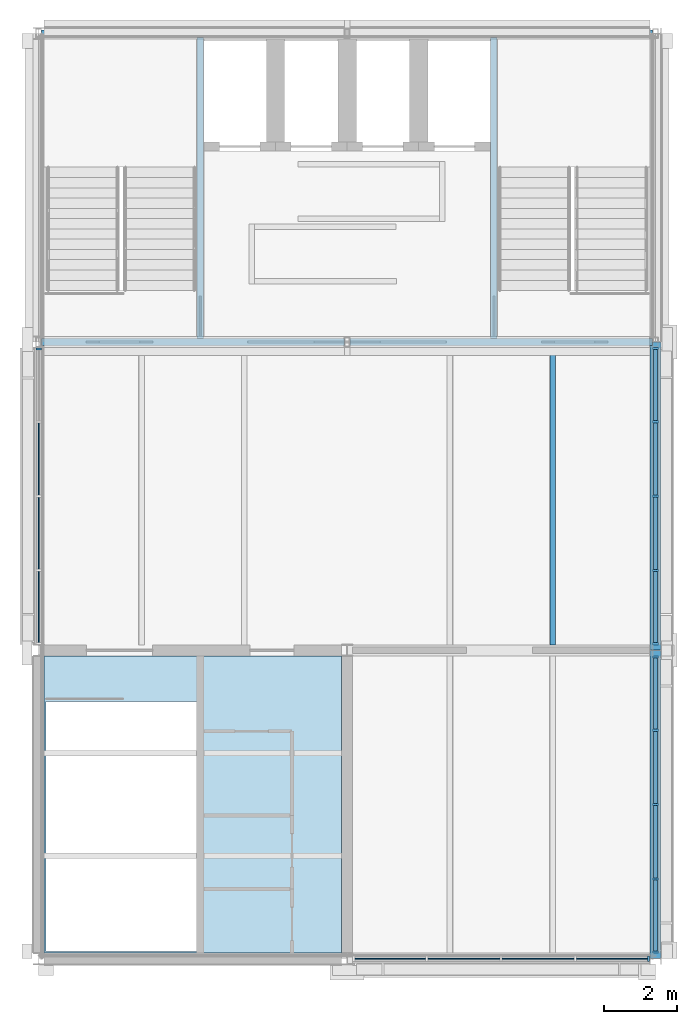
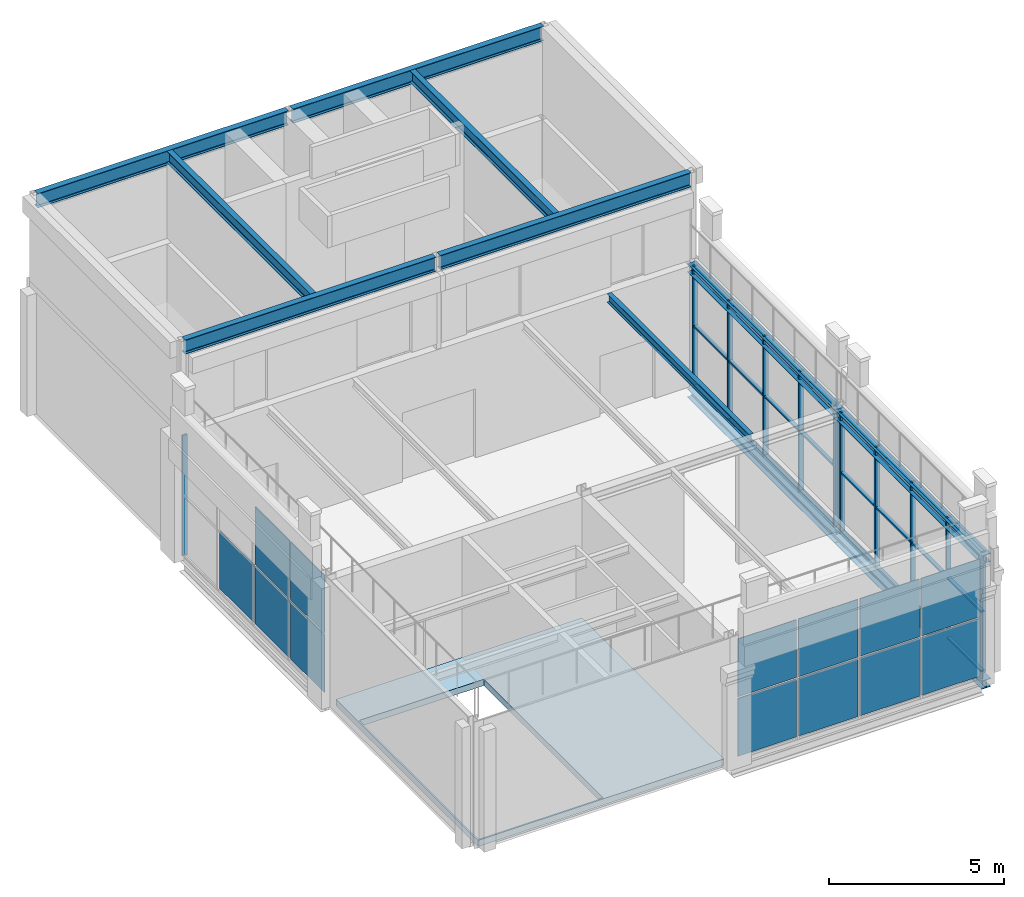
# One storey, part 2 of 7: 36 members, 13 plates, 11 beams, 1 slab, 4 elements without a shape of their own.
"""IFC4 building model written with IfcOpenShell, lengths in metres."""

from ifc_helpers import new_model, si_unit, direction, frame, origin, origin_2d, place, context, subcontext, project, spatial, polyline, rectangle, i_section, outline, extrude, material, layer, layer_set, material_profile, profile_set, type_object, element, aggregate, save


model = new_model("IFC4")

# Units and contexts
model_context = context("Model", 3, precision=1e-05, world=origin(), true_north=direction((0.0, 1.0)))
body_context = subcontext(model_context, "Body", "Model", "MODEL_VIEW")
ifc_project = project(units=[si_unit("LENGTHUNIT", "METRE"), si_unit("AREAUNIT", "SQUARE_METRE"), si_unit("VOLUMEUNIT", "CUBIC_METRE"), si_unit("PLANEANGLEUNIT", "RADIAN"), si_unit("MASSUNIT", "GRAM", prefix="KILO")], contexts=[model_context])

# Site, building, storey
site_placement = place(None, origin())
site = spatial("IfcSite", under=ifc_project, at=site_placement, CompositionType="ELEMENT")
building_placement = place(site_placement, origin())
building = spatial("IfcBuilding", under=site, at=building_placement, Name="Galleria Vessillo Department Store", CompositionType="ELEMENT")
storey_placement = place(building_placement, frame((0.0, 0.0, 67.60009765625)))
storey = spatial("IfcBuildingStorey", under=building, at=storey_placement, Name="L15", CompositionType="ELEMENT", Elevation=67.60009765625)

# Curtain wall, member
ifc_material_1 = material(Name="Aluminium and glass curtain wall", Category="aluminium")
ifc_layer_1 = layer(ifc_material_1, 0.159912109375)
ifc_layer_set_1 = layer_set([ifc_layer_1], Name="Aluminium and glass curtain wall")
curtain_wall_type = type_object("IfcCurtainWallType", Name="Tower curtain wall CW4 2100 module", PredefinedType="NOTDEFINED", material=ifc_layer_set_1)
curtain_wall_1_placement = place(storey_placement, origin())
curtain_wall_1 = element("IfcCurtainWall", 1, at=curtain_wall_1_placement, inside=storey, type_object=curtain_wall_type, Name="Tower curtain wall CW4 2100 module TW-L15-01", PredefinedType="NOTDEFINED")
ifc_material_2 = material(Name="Aluminium alloy 6063 T6", Category="aluminium")
ifc_material_profile_1 = material_profile(ifc_material_2, rectangle(XDim=0.159912109375, YDim=0.06005859375, at=origin_2d()), Name="AL 60x160")
ifc_profile_set_1 = profile_set([ifc_material_profile_1], Name="Aluminium alloy 6063 T6")
member_type_1 = type_object("IfcMemberType", Name="Aluminium mullion 60 x 160", PredefinedType="MULLION", material=ifc_profile_set_1)
member_1_placement = place(storey_placement, frame((100.800048828125, 54.41015625, 0.0), z_axis=(0.0, 0.0, 1.0), x_axis=(-1.0, 0.0, 0.0)))
member_1 = element("IfcMember", 2, at=member_1_placement, type_object=member_type_1, Name="CW4 mullion 5", PredefinedType="MULLION", context=body_context, shape_type="SweptSolid", body=[
    extrude(rectangle(XDim=0.159912109375, YDim=0.06005859375, at=origin_2d()), origin(), (0.0, 0.0, 1.0), 4.199951171875),
])

curtain_wall_2_placement = place(storey_placement, origin())
curtain_wall_2 = element("IfcCurtainWall", 3, at=curtain_wall_2_placement, inside=storey, type_object=curtain_wall_type, Name="Tower curtain wall CW4 2100 module TS-L15-01", PredefinedType="NOTDEFINED")
member_2_placement = place(storey_placement, frame((117.41015625, 37.800048828125, 0.0), z_axis=(0.0, 0.0, 1.0), x_axis=(0.0, 1.0, 0.0)))
member_2 = element("IfcMember", 4, at=member_2_placement, type_object=member_type_1, Name="CW4 mullion 5", PredefinedType="MULLION", context=body_context, shape_type="SweptSolid", body=[
    extrude(rectangle(XDim=0.159912109375, YDim=0.06005859375, at=origin_2d()), origin(), (0.0, 0.0, 1.0), 4.199951171875),
])

# Curtain wall, members
curtain_wall_3_placement = place(storey_placement, origin())
curtain_wall_3 = element("IfcCurtainWall", 5, at=curtain_wall_3_placement, inside=storey, type_object=curtain_wall_type, Name="Tower curtain wall CW4 2100 module TE-L15-01", PredefinedType="NOTDEFINED")
member_3_placement = place(storey_placement, frame((117.60009765625, 37.97998046875, 0.0), z_axis=(0.0, 0.0, 1.0), x_axis=(-1.0, 0.0, 0.0)))
member_3 = element("IfcMember", 6, at=member_3_placement, type_object=member_type_1, Name="CW4 mullion 1", PredefinedType="MULLION", context=body_context, shape_type="SweptSolid", body=[
    extrude(rectangle(XDim=0.159912109375, YDim=0.06005859375, at=origin_2d()), origin(), (0.0, 0.0, 1.0), 4.199951171875),
])
member_4_placement = place(storey_placement, frame((117.60009765625, 39.97509765625, 0.0), z_axis=(0.0, 0.0, 1.0), x_axis=(-1.0, 0.0, 0.0)))
member_4 = element("IfcMember", 7, at=member_4_placement, type_object=member_type_1, Name="CW4 mullion 2", PredefinedType="MULLION", context=body_context, shape_type="SweptSolid", body=[
    extrude(rectangle(XDim=0.159912109375, YDim=0.06005859375, at=origin_2d()), origin(), (0.0, 0.0, 1.0), 4.199951171875),
])
member_5_placement = place(storey_placement, frame((117.60009765625, 42.0, 0.0), z_axis=(0.0, 0.0, 1.0), x_axis=(-1.0, 0.0, 0.0)))
member_5 = element("IfcMember", 8, at=member_5_placement, type_object=member_type_1, Name="CW4 mullion 3", PredefinedType="MULLION", context=body_context, shape_type="SweptSolid", body=[
    extrude(rectangle(XDim=0.159912109375, YDim=0.06005859375, at=origin_2d()), origin(), (0.0, 0.0, 1.0), 4.199951171875),
])
member_6_placement = place(storey_placement, frame((117.60009765625, 44.02490234375, 0.0), z_axis=(0.0, 0.0, 1.0), x_axis=(-1.0, 0.0, 0.0)))
member_6 = element("IfcMember", 9, at=member_6_placement, type_object=member_type_1, Name="CW4 mullion 4", PredefinedType="MULLION", context=body_context, shape_type="SweptSolid", body=[
    extrude(rectangle(XDim=0.159912109375, YDim=0.06005859375, at=origin_2d()), origin(), (0.0, 0.0, 1.0), 4.199951171875),
])
member_7_placement = place(storey_placement, frame((117.60009765625, 46.02001953125, 0.0), z_axis=(0.0, 0.0, 1.0), x_axis=(-1.0, 0.0, 0.0)))
member_7 = element("IfcMember", 10, at=member_7_placement, type_object=member_type_1, Name="CW4 mullion 5", PredefinedType="MULLION", context=body_context, shape_type="SweptSolid", body=[
    extrude(rectangle(XDim=0.159912109375, YDim=0.06005859375, at=origin_2d()), origin(), (0.0, 0.0, 1.0), 4.199951171875),
])

curtain_wall_4_placement = place(storey_placement, origin())
curtain_wall_4 = element("IfcCurtainWall", 11, at=curtain_wall_4_placement, inside=storey, type_object=curtain_wall_type, Name="Tower curtain wall CW4 2100 module TE-L15-02", PredefinedType="NOTDEFINED")
member_8_placement = place(storey_placement, frame((117.60009765625, 46.3798828125, 0.0), z_axis=(0.0, 0.0, 1.0), x_axis=(-1.0, 0.0, 0.0)))
member_8 = element("IfcMember", 12, at=member_8_placement, type_object=member_type_1, Name="CW4 mullion 1", PredefinedType="MULLION", context=body_context, shape_type="SweptSolid", body=[
    extrude(rectangle(XDim=0.159912109375, YDim=0.06005859375, at=origin_2d()), origin(), (0.0, 0.0, 1.0), 4.199951171875),
])
member_9_placement = place(storey_placement, frame((117.60009765625, 48.375, 0.0), z_axis=(0.0, 0.0, 1.0), x_axis=(-1.0, 0.0, 0.0)))
member_9 = element("IfcMember", 13, at=member_9_placement, type_object=member_type_1, Name="CW4 mullion 2", PredefinedType="MULLION", context=body_context, shape_type="SweptSolid", body=[
    extrude(rectangle(XDim=0.159912109375, YDim=0.06005859375, at=origin_2d()), origin(), (0.0, 0.0, 1.0), 4.199951171875),
])
member_10_placement = place(storey_placement, frame((117.60009765625, 50.39990234375, 0.0), z_axis=(0.0, 0.0, 1.0), x_axis=(-1.0, 0.0, 0.0)))
member_10 = element("IfcMember", 14, at=member_10_placement, type_object=member_type_1, Name="CW4 mullion 3", PredefinedType="MULLION", context=body_context, shape_type="SweptSolid", body=[
    extrude(rectangle(XDim=0.159912109375, YDim=0.06005859375, at=origin_2d()), origin(), (0.0, 0.0, 1.0), 4.199951171875),
])
member_11_placement = place(storey_placement, frame((117.60009765625, 52.425048828125, 0.0), z_axis=(0.0, 0.0, 1.0), x_axis=(-1.0, 0.0, 0.0)))
member_11 = element("IfcMember", 15, at=member_11_placement, type_object=member_type_1, Name="CW4 mullion 4", PredefinedType="MULLION", context=body_context, shape_type="SweptSolid", body=[
    extrude(rectangle(XDim=0.159912109375, YDim=0.06005859375, at=origin_2d()), origin(), (0.0, 0.0, 1.0), 4.199951171875),
])
member_12_placement = place(storey_placement, frame((117.60009765625, 54.420166015625, 0.0), z_axis=(0.0, 0.0, 1.0), x_axis=(-1.0, 0.0, 0.0)))
member_12 = element("IfcMember", 16, at=member_12_placement, type_object=member_type_1, Name="CW4 mullion 5", PredefinedType="MULLION", context=body_context, shape_type="SweptSolid", body=[
    extrude(rectangle(XDim=0.159912109375, YDim=0.06005859375, at=origin_2d()), origin(), (0.0, 0.0, 1.0), 4.199951171875),
])

# Member
ifc_material_3 = material(Name="Aluminium alloy 6063 T6", Category="aluminium")
ifc_material_profile_2 = material_profile(ifc_material_3, rectangle(XDim=0.1201171875, YDim=0.06005859375, at=origin_2d()), Name="AL 60x120")
ifc_profile_set_2 = profile_set([ifc_material_profile_2], Name="Aluminium alloy 6063 T6")
member_type_2 = type_object("IfcMemberType", Name="Aluminium transom 60 x 120", PredefinedType="USERDEFINED", material=ifc_profile_set_2)
member_13_placement = place(storey_placement, frame((117.60009765625, 38.010009765625, 0.030029296875), z_axis=(0.0, 1.0, 0.0), x_axis=(-1.0, 0.0, 0.0)))
member_13 = element("IfcMember", 17, at=member_13_placement, type_object=member_type_2, Name="CW4 transom 1.1", ObjectType="TRANSOM", PredefinedType="USERDEFINED", context=body_context, shape_type="SweptSolid", body=[
    extrude(rectangle(XDim=0.1201171875, YDim=0.06005859375, at=origin_2d()), origin(), (0.0, 0.0, 1.0), 1.93505859375),
])

member_14_placement = place(storey_placement, frame((117.60009765625, 38.010009765625, 2.10009765625), z_axis=(0.0, 1.0, 0.0), x_axis=(-1.0, 0.0, 0.0)))
member_14 = element("IfcMember", 18, at=member_14_placement, type_object=member_type_2, Name="CW4 transom 1.2", ObjectType="TRANSOM", PredefinedType="USERDEFINED", context=body_context, shape_type="SweptSolid", body=[
    extrude(rectangle(XDim=0.1201171875, YDim=0.06005859375, at=origin_2d()), origin(), (0.0, 0.0, 1.0), 1.93505859375),
])

member_15_placement = place(storey_placement, frame((117.60009765625, 38.010009765625, 4.169921875), z_axis=(0.0, 1.0, 0.0), x_axis=(-1.0, 0.0, 0.0)))
member_15 = element("IfcMember", 19, at=member_15_placement, type_object=member_type_2, Name="CW4 transom 1.3", ObjectType="TRANSOM", PredefinedType="USERDEFINED", context=body_context, shape_type="SweptSolid", body=[
    extrude(rectangle(XDim=0.1201171875, YDim=0.06005859375, at=origin_2d()), origin(), (0.0, 0.0, 1.0), 1.93505859375),
])

member_16_placement = place(storey_placement, frame((117.60009765625, 40.0048828125, 0.030029296875), z_axis=(0.0, 1.0, 0.0), x_axis=(-1.0, 0.0, 0.0)))
member_16 = element("IfcMember", 20, at=member_16_placement, type_object=member_type_2, Name="CW4 transom 2.1", ObjectType="TRANSOM", PredefinedType="USERDEFINED", context=body_context, shape_type="SweptSolid", body=[
    extrude(rectangle(XDim=0.1201171875, YDim=0.06005859375, at=origin_2d()), origin(), (0.0, 0.0, 1.0), 1.965087890625),
])

member_17_placement = place(storey_placement, frame((117.60009765625, 40.0048828125, 2.10009765625), z_axis=(0.0, 1.0, 0.0), x_axis=(-1.0, 0.0, 0.0)))
member_17 = element("IfcMember", 21, at=member_17_placement, type_object=member_type_2, Name="CW4 transom 2.2", ObjectType="TRANSOM", PredefinedType="USERDEFINED", context=body_context, shape_type="SweptSolid", body=[
    extrude(rectangle(XDim=0.1201171875, YDim=0.06005859375, at=origin_2d()), origin(), (0.0, 0.0, 1.0), 1.965087890625),
])

member_18_placement = place(storey_placement, frame((117.60009765625, 40.0048828125, 4.169921875), z_axis=(0.0, 1.0, 0.0), x_axis=(-1.0, 0.0, 0.0)))
member_18 = element("IfcMember", 22, at=member_18_placement, type_object=member_type_2, Name="CW4 transom 2.3", ObjectType="TRANSOM", PredefinedType="USERDEFINED", context=body_context, shape_type="SweptSolid", body=[
    extrude(rectangle(XDim=0.1201171875, YDim=0.06005859375, at=origin_2d()), origin(), (0.0, 0.0, 1.0), 1.965087890625),
])

member_19_placement = place(storey_placement, frame((117.60009765625, 42.030029296875, 0.030029296875), z_axis=(0.0, 1.0, 0.0), x_axis=(-1.0, 0.0, 0.0)))
member_19 = element("IfcMember", 23, at=member_19_placement, type_object=member_type_2, Name="CW4 transom 3.1", ObjectType="TRANSOM", PredefinedType="USERDEFINED", context=body_context, shape_type="SweptSolid", body=[
    extrude(rectangle(XDim=0.1201171875, YDim=0.06005859375, at=origin_2d()), origin(), (0.0, 0.0, 1.0), 1.965087890625),
])

member_20_placement = place(storey_placement, frame((117.60009765625, 42.030029296875, 2.10009765625), z_axis=(0.0, 1.0, 0.0), x_axis=(-1.0, 0.0, 0.0)))
member_20 = element("IfcMember", 24, at=member_20_placement, type_object=member_type_2, Name="CW4 transom 3.2", ObjectType="TRANSOM", PredefinedType="USERDEFINED", context=body_context, shape_type="SweptSolid", body=[
    extrude(rectangle(XDim=0.1201171875, YDim=0.06005859375, at=origin_2d()), origin(), (0.0, 0.0, 1.0), 1.965087890625),
])

member_21_placement = place(storey_placement, frame((117.60009765625, 42.030029296875, 4.169921875), z_axis=(0.0, 1.0, 0.0), x_axis=(-1.0, 0.0, 0.0)))
member_21 = element("IfcMember", 25, at=member_21_placement, type_object=member_type_2, Name="CW4 transom 3.3", ObjectType="TRANSOM", PredefinedType="USERDEFINED", context=body_context, shape_type="SweptSolid", body=[
    extrude(rectangle(XDim=0.1201171875, YDim=0.06005859375, at=origin_2d()), origin(), (0.0, 0.0, 1.0), 1.965087890625),
])

member_22_placement = place(storey_placement, frame((117.60009765625, 44.054931640625, 0.030029296875), z_axis=(0.0, 1.0, 0.0), x_axis=(-1.0, 0.0, 0.0)))
member_22 = element("IfcMember", 26, at=member_22_placement, type_object=member_type_2, Name="CW4 transom 4.1", ObjectType="TRANSOM", PredefinedType="USERDEFINED", context=body_context, shape_type="SweptSolid", body=[
    extrude(rectangle(XDim=0.1201171875, YDim=0.06005859375, at=origin_2d()), origin(), (0.0, 0.0, 1.0), 1.93505859375),
])

member_23_placement = place(storey_placement, frame((117.60009765625, 44.054931640625, 2.10009765625), z_axis=(0.0, 1.0, 0.0), x_axis=(-1.0, 0.0, 0.0)))
member_23 = element("IfcMember", 27, at=member_23_placement, type_object=member_type_2, Name="CW4 transom 4.2", ObjectType="TRANSOM", PredefinedType="USERDEFINED", context=body_context, shape_type="SweptSolid", body=[
    extrude(rectangle(XDim=0.1201171875, YDim=0.06005859375, at=origin_2d()), origin(), (0.0, 0.0, 1.0), 1.93505859375),
])

member_24_placement = place(storey_placement, frame((117.60009765625, 44.054931640625, 4.169921875), z_axis=(0.0, 1.0, 0.0), x_axis=(-1.0, 0.0, 0.0)))
member_24 = element("IfcMember", 28, at=member_24_placement, type_object=member_type_2, Name="CW4 transom 4.3", ObjectType="TRANSOM", PredefinedType="USERDEFINED", context=body_context, shape_type="SweptSolid", body=[
    extrude(rectangle(XDim=0.1201171875, YDim=0.06005859375, at=origin_2d()), origin(), (0.0, 0.0, 1.0), 1.93505859375),
])

aggregate(curtain_wall_3, [member_3, member_4, member_5, member_6, member_7, member_13, member_14, member_15, member_16, member_17, member_18, member_19, member_20, member_21, member_22, member_23, member_24])

member_25_placement = place(storey_placement, frame((117.60009765625, 46.409912109375, 0.030029296875), z_axis=(0.0, 1.0, 0.0), x_axis=(-1.0, 0.0, 0.0)))
member_25 = element("IfcMember", 29, at=member_25_placement, type_object=member_type_2, Name="CW4 transom 1.1", ObjectType="TRANSOM", PredefinedType="USERDEFINED", context=body_context, shape_type="SweptSolid", body=[
    extrude(rectangle(XDim=0.1201171875, YDim=0.06005859375, at=origin_2d()), origin(), (0.0, 0.0, 1.0), 1.93505859375),
])

member_26_placement = place(storey_placement, frame((117.60009765625, 46.409912109375, 2.10009765625), z_axis=(0.0, 1.0, 0.0), x_axis=(-1.0, 0.0, 0.0)))
member_26 = element("IfcMember", 30, at=member_26_placement, type_object=member_type_2, Name="CW4 transom 1.2", ObjectType="TRANSOM", PredefinedType="USERDEFINED", context=body_context, shape_type="SweptSolid", body=[
    extrude(rectangle(XDim=0.1201171875, YDim=0.06005859375, at=origin_2d()), origin(), (0.0, 0.0, 1.0), 1.93505859375),
])

member_27_placement = place(storey_placement, frame((117.60009765625, 46.409912109375, 4.169921875), z_axis=(0.0, 1.0, 0.0), x_axis=(-1.0, 0.0, 0.0)))
member_27 = element("IfcMember", 31, at=member_27_placement, type_object=member_type_2, Name="CW4 transom 1.3", ObjectType="TRANSOM", PredefinedType="USERDEFINED", context=body_context, shape_type="SweptSolid", body=[
    extrude(rectangle(XDim=0.1201171875, YDim=0.06005859375, at=origin_2d()), origin(), (0.0, 0.0, 1.0), 1.93505859375),
])

member_28_placement = place(storey_placement, frame((117.60009765625, 48.405029296875, 0.030029296875), z_axis=(0.0, 1.0, 0.0), x_axis=(-1.0, 0.0, 0.0)))
member_28 = element("IfcMember", 32, at=member_28_placement, type_object=member_type_2, Name="CW4 transom 2.1", ObjectType="TRANSOM", PredefinedType="USERDEFINED", context=body_context, shape_type="SweptSolid", body=[
    extrude(rectangle(XDim=0.1201171875, YDim=0.06005859375, at=origin_2d()), origin(), (0.0, 0.0, 1.0), 1.965087890625),
])

member_29_placement = place(storey_placement, frame((117.60009765625, 48.405029296875, 2.10009765625), z_axis=(0.0, 1.0, 0.0), x_axis=(-1.0, 0.0, 0.0)))
member_29 = element("IfcMember", 33, at=member_29_placement, type_object=member_type_2, Name="CW4 transom 2.2", ObjectType="TRANSOM", PredefinedType="USERDEFINED", context=body_context, shape_type="SweptSolid", body=[
    extrude(rectangle(XDim=0.1201171875, YDim=0.06005859375, at=origin_2d()), origin(), (0.0, 0.0, 1.0), 1.965087890625),
])

member_30_placement = place(storey_placement, frame((117.60009765625, 48.405029296875, 4.169921875), z_axis=(0.0, 1.0, 0.0), x_axis=(-1.0, 0.0, 0.0)))
member_30 = element("IfcMember", 34, at=member_30_placement, type_object=member_type_2, Name="CW4 transom 2.3", ObjectType="TRANSOM", PredefinedType="USERDEFINED", context=body_context, shape_type="SweptSolid", body=[
    extrude(rectangle(XDim=0.1201171875, YDim=0.06005859375, at=origin_2d()), origin(), (0.0, 0.0, 1.0), 1.965087890625),
])

member_31_placement = place(storey_placement, frame((117.60009765625, 50.429931640625, 0.030029296875), z_axis=(0.0, 1.0, 0.0), x_axis=(-1.0, 0.0, 0.0)))
member_31 = element("IfcMember", 35, at=member_31_placement, type_object=member_type_2, Name="CW4 transom 3.1", ObjectType="TRANSOM", PredefinedType="USERDEFINED", context=body_context, shape_type="SweptSolid", body=[
    extrude(rectangle(XDim=0.1201171875, YDim=0.06005859375, at=origin_2d()), origin(), (0.0, 0.0, 1.0), 1.965087890625),
])

member_32_placement = place(storey_placement, frame((117.60009765625, 50.429931640625, 2.10009765625), z_axis=(0.0, 1.0, 0.0), x_axis=(-1.0, 0.0, 0.0)))
member_32 = element("IfcMember", 36, at=member_32_placement, type_object=member_type_2, Name="CW4 transom 3.2", ObjectType="TRANSOM", PredefinedType="USERDEFINED", context=body_context, shape_type="SweptSolid", body=[
    extrude(rectangle(XDim=0.1201171875, YDim=0.06005859375, at=origin_2d()), origin(), (0.0, 0.0, 1.0), 1.965087890625),
])

member_33_placement = place(storey_placement, frame((117.60009765625, 50.429931640625, 4.169921875), z_axis=(0.0, 1.0, 0.0), x_axis=(-1.0, 0.0, 0.0)))
member_33 = element("IfcMember", 37, at=member_33_placement, type_object=member_type_2, Name="CW4 transom 3.3", ObjectType="TRANSOM", PredefinedType="USERDEFINED", context=body_context, shape_type="SweptSolid", body=[
    extrude(rectangle(XDim=0.1201171875, YDim=0.06005859375, at=origin_2d()), origin(), (0.0, 0.0, 1.0), 1.965087890625),
])

member_34_placement = place(storey_placement, frame((117.60009765625, 52.455078125, 0.030029296875), z_axis=(0.0, 1.0, 0.0), x_axis=(-1.0, 0.0, 0.0)))
member_34 = element("IfcMember", 38, at=member_34_placement, type_object=member_type_2, Name="CW4 transom 4.1", ObjectType="TRANSOM", PredefinedType="USERDEFINED", context=body_context, shape_type="SweptSolid", body=[
    extrude(rectangle(XDim=0.1201171875, YDim=0.06005859375, at=origin_2d()), origin(), (0.0, 0.0, 1.0), 1.93505859375),
])

member_35_placement = place(storey_placement, frame((117.60009765625, 52.455078125, 2.10009765625), z_axis=(0.0, 1.0, 0.0), x_axis=(-1.0, 0.0, 0.0)))
member_35 = element("IfcMember", 39, at=member_35_placement, type_object=member_type_2, Name="CW4 transom 4.2", ObjectType="TRANSOM", PredefinedType="USERDEFINED", context=body_context, shape_type="SweptSolid", body=[
    extrude(rectangle(XDim=0.1201171875, YDim=0.06005859375, at=origin_2d()), origin(), (0.0, 0.0, 1.0), 1.93505859375),
])

member_36_placement = place(storey_placement, frame((117.60009765625, 52.455078125, 4.169921875), z_axis=(0.0, 1.0, 0.0), x_axis=(-1.0, 0.0, 0.0)))
member_36 = element("IfcMember", 40, at=member_36_placement, type_object=member_type_2, Name="CW4 transom 4.3", ObjectType="TRANSOM", PredefinedType="USERDEFINED", context=body_context, shape_type="SweptSolid", body=[
    extrude(rectangle(XDim=0.1201171875, YDim=0.06005859375, at=origin_2d()), origin(), (0.0, 0.0, 1.0), 1.93505859375),
])

aggregate(curtain_wall_4, [member_8, member_9, member_10, member_11, member_12, member_25, member_26, member_27, member_28, member_29, member_30, member_31, member_32, member_33, member_34, member_35, member_36])

# Beams
ifc_material_4 = material(Name="Steel S355 J2", Category="steel")
ifc_material_profile_3 = material_profile(ifc_material_4, i_section(OverallWidth=0.14990234375, OverallDepth=0.300048828125, WebThickness=0.007080078125, FlangeThickness=0.0107421875, FilletRadius=0.014892578125, at=origin_2d()), Name="IPE 300")
ifc_profile_set_3 = profile_set([ifc_material_profile_3], Name="Steel S355 J2")
beam_type_1 = type_object("IfcBeamType", Name="Floor joist IPE 300", PredefinedType="JOIST", material=ifc_profile_set_3)
beam_1_placement = place(storey_placement, frame((114.800048828125, 46.35009765625, 4.050048828125), z_axis=(0.0, 1.0, 0.0), x_axis=(-1.0, 0.0, 0.0)))
element("IfcBeam", 41, at=beam_1_placement, inside=storey, type_object=beam_type_1, Name="S-BM-L15R-JO-y114800-46350", PredefinedType="JOIST", context=body_context, shape_type="SweptSolid", body=[
    extrude(i_section(OverallWidth=0.14990234375, OverallDepth=0.300048828125, WebThickness=0.007080078125, FlangeThickness=0.0107421875, FilletRadius=0.014892578125, at=origin_2d()), origin(), (0.0, 0.0, 1.0), 8.099853515625),
])
ifc_material_5 = material(Name="Steel S355 J2", Category="steel")
ifc_material_profile_4 = material_profile(ifc_material_5, i_section(OverallWidth=0.199951171875, OverallDepth=0.5, WebThickness=0.01025390625, FlangeThickness=0.01611328125, FilletRadius=0.02099609375, at=origin_2d()), Name="IPE 500")
ifc_profile_set_4 = profile_set([ifc_material_profile_4], Name="Steel S355 J2")
beam_type_2 = type_object("IfcBeamType", Name="Machine room roof beam IPE 500", PredefinedType="BEAM", material=ifc_profile_set_4)
for number, where, z_axis, x_axis, name in (
    (42, (100.875244140625, 54.60009765625, 7.14990234375), (1.0, 0.0, 0.0), (0.0, 1.0, 0.0), "S-HB-1008-0546"),
    (43, (109.275146484375, 54.60009765625, 7.14990234375), (1.0, 0.0, 0.0), (0.0, 1.0, 0.0), "S-HB-1092-0546"),
    (44, (100.875244140625, 63.0, 7.14990234375), (1.0, 0.0, 0.0), (0.0, 1.0, 0.0), "S-HB-1008-0630"),
    (45, (109.275146484375, 63.0, 7.14990234375), (1.0, 0.0, 0.0), (0.0, 1.0, 0.0), "S-HB-1092-0630"),
):
    element("IfcBeam", number, at=place(storey_placement, frame(where, z_axis=z_axis, x_axis=x_axis)), inside=storey, type_object=beam_type_2, Name=name, PredefinedType="BEAM", context=body_context, shape_type="SweptSolid", body=[
        extrude(i_section(OverallWidth=0.199951171875, OverallDepth=0.5, WebThickness=0.01025390625, FlangeThickness=0.01611328125, FilletRadius=0.02099609375, at=origin_2d()), origin(), (0.0, 0.0, 1.0), 8.249755859375),
    ])
ifc_material_6 = material(Name="Steel S355 J2", Category="steel")
ifc_material_profile_5 = material_profile(ifc_material_6, i_section(OverallWidth=0.179931640625, OverallDepth=0.39990234375, WebThickness=0.008544921875, FlangeThickness=0.013427734375, FilletRadius=0.02099609375, at=origin_2d()), Name="IPE 400")
ifc_profile_set_5 = profile_set([ifc_material_profile_5], Name="Steel S355 J2")
beam_type_3 = type_object("IfcBeamType", Name="Machine room roof joist IPE 400", PredefinedType="JOIST", material=ifc_profile_set_5)
for number, where, z_axis, x_axis, name in (
    (46, (105.2001953125, 54.7001953125, 7.199951171875), (0.0, 1.0, 0.0), (-1.0, 0.0, 0.0), "S-HJ-1052"),
    (47, (113.199951171875, 54.7001953125, 7.199951171875), (0.0, 1.0, 0.0), (-1.0, 0.0, 0.0), "S-HJ-1132"),
):
    element("IfcBeam", number, at=place(storey_placement, frame(where, z_axis=z_axis, x_axis=x_axis)), inside=storey, type_object=beam_type_3, Name=name, PredefinedType="JOIST", context=body_context, shape_type="SweptSolid", body=[
        extrude(i_section(OverallWidth=0.179931640625, OverallDepth=0.39990234375, WebThickness=0.008544921875, FlangeThickness=0.013427734375, FilletRadius=0.02099609375, at=origin_2d()), origin(), (0.0, 0.0, 1.0), 8.19970703125),
    ])
ifc_material_7 = material(Name="Steel S355 J2", Category="steel")
ifc_material_profile_6 = material_profile(ifc_material_7, i_section(OverallWidth=0.300048828125, OverallDepth=0.2900390625, WebThickness=0.008544921875, FlangeThickness=0.013916015625, FilletRadius=0.027099609375, at=origin_2d()), Name="HEA 300")
ifc_profile_set_6 = profile_set([ifc_material_profile_6], Name="Steel S355 J2")
beam_type_4 = type_object("IfcBeamType", Name="Spandrel beam HEA 300", PredefinedType="SPANDREL", material=ifc_profile_set_6)
beam_2_placement = place(storey_placement, frame((117.60009765625, 37.805908203125, -0.294921875), z_axis=(0.0, 1.0, 0.0), x_axis=(-1.0, 0.0, 0.0)))
element("IfcBeam", 48, at=beam_2_placement, inside=storey, type_object=beam_type_4, Name="S-BM-L15-SP-y117600-37806", PredefinedType="SPANDREL", context=body_context, shape_type="SweptSolid", body=[
    extrude(i_section(OverallWidth=0.300048828125, OverallDepth=0.2900390625, WebThickness=0.008544921875, FlangeThickness=0.013916015625, FilletRadius=0.027099609375, at=origin_2d()), origin(), (0.0, 0.0, 1.0), 8.38818359375),
])
beam_3_placement = place(storey_placement, frame((117.60009765625, 46.205810546875, -0.294921875), z_axis=(0.0, 1.0, 0.0), x_axis=(-1.0, 0.0, 0.0)))
element("IfcBeam", 49, at=beam_3_placement, inside=storey, type_object=beam_type_4, Name="S-BM-L15-SP-y117600-46206", PredefinedType="SPANDREL", context=body_context, shape_type="SweptSolid", body=[
    extrude(i_section(OverallWidth=0.300048828125, OverallDepth=0.2900390625, WebThickness=0.008544921875, FlangeThickness=0.013916015625, FilletRadius=0.027099609375, at=origin_2d()), origin(), (0.0, 0.0, 1.0), 8.388427734375),
])
beam_4_placement = place(storey_placement, frame((117.60009765625, 37.805908203125, 4.054931640625), z_axis=(0.0, 1.0, 0.0), x_axis=(-1.0, 0.0, 0.0)))
element("IfcBeam", 50, at=beam_4_placement, inside=storey, type_object=beam_type_4, Name="S-BM-L15R-SP-y117600-37806", PredefinedType="SPANDREL", context=body_context, shape_type="SweptSolid", body=[
    extrude(i_section(OverallWidth=0.300048828125, OverallDepth=0.2900390625, WebThickness=0.008544921875, FlangeThickness=0.013916015625, FilletRadius=0.027099609375, at=origin_2d()), origin(), (0.0, 0.0, 1.0), 8.38818359375),
])
beam_5_placement = place(storey_placement, frame((117.60009765625, 46.205810546875, 4.054931640625), z_axis=(0.0, 1.0, 0.0), x_axis=(-1.0, 0.0, 0.0)))
element("IfcBeam", 51, at=beam_5_placement, inside=storey, type_object=beam_type_4, Name="S-BM-L15R-SP-y117600-46206", PredefinedType="SPANDREL", context=body_context, shape_type="SweptSolid", body=[
    extrude(i_section(OverallWidth=0.300048828125, OverallDepth=0.2900390625, WebThickness=0.008544921875, FlangeThickness=0.013916015625, FilletRadius=0.027099609375, at=origin_2d()), origin(), (0.0, 0.0, 1.0), 8.388427734375),
])

# Plate
ifc_material_8 = material(Name="Glass laminated 44.2 low-e", Category="glass")
ifc_layer_2 = layer(ifc_material_8, 0.028076171875)
ifc_layer_set_2 = layer_set([ifc_layer_2], Name="Glass laminated 44.2 low-e")
plate_type_1 = type_object("IfcPlateType", Name="Laminated glass panel 28 mm", PredefinedType="CURTAIN_PANEL", material=ifc_layer_set_2)
plate_1_placement = place(storey_placement, frame((100.800048828125, 47.385009765625, 2.1298828125), z_axis=(0.0, 0.0, 1.0), x_axis=(0.0, 1.0, 0.0)))
plate_1 = element("IfcPlate", 52, at=plate_1_placement, type_object=plate_type_1, Name="CW4 panel 1.2", PredefinedType="CURTAIN_PANEL", context=body_context, shape_type="SweptSolid", body=[
    extrude(rectangle(XDim=1.93017578125, YDim=0.028076171875, at=origin_2d()), origin(), (0.0, 0.0, 1.0), 2.010009765625),
])

plate_2_placement = place(storey_placement, frame((100.800048828125, 49.389892578125, 2.1298828125), z_axis=(0.0, 0.0, 1.0), x_axis=(0.0, 1.0, 0.0)))
plate_2 = element("IfcPlate", 53, at=plate_2_placement, type_object=plate_type_1, Name="CW4 panel 2.2", PredefinedType="CURTAIN_PANEL", context=body_context, shape_type="SweptSolid", body=[
    extrude(rectangle(XDim=1.9599609375, YDim=0.028076171875, at=origin_2d()), origin(), (0.0, 0.0, 1.0), 2.010009765625),
])

plate_3_placement = place(storey_placement, frame((110.376220703125, 37.800048828125, 2.1298828125), z_axis=(0.0, 0.0, 1.0), x_axis=(1.0, 0.0, 0.0)))
plate_3 = element("IfcPlate", 54, at=plate_3_placement, type_object=plate_type_1, Name="CW4 panel 1.2", PredefinedType="CURTAIN_PANEL", context=body_context, shape_type="SweptSolid", body=[
    extrude(rectangle(XDim=1.9326171875, YDim=0.028076171875, at=origin_2d()), origin(), (0.0, 0.0, 1.0), 2.010009765625),
])

plate_4_placement = place(storey_placement, frame((112.3837890625, 37.800048828125, 2.1298828125), z_axis=(0.0, 0.0, 1.0), x_axis=(1.0, 0.0, 0.0)))
plate_4 = element("IfcPlate", 55, at=plate_4_placement, type_object=plate_type_1, Name="CW4 panel 2.2", PredefinedType="CURTAIN_PANEL", context=body_context, shape_type="SweptSolid", body=[
    extrude(rectangle(XDim=1.962646484375, YDim=0.028076171875, at=origin_2d()), origin(), (0.0, 0.0, 1.0), 2.010009765625),
])

plate_5_placement = place(storey_placement, frame((114.40625, 37.800048828125, 2.1298828125), z_axis=(0.0, 0.0, 1.0), x_axis=(1.0, 0.0, 0.0)))
plate_5 = element("IfcPlate", 56, at=plate_5_placement, type_object=plate_type_1, Name="CW4 panel 3.2", PredefinedType="CURTAIN_PANEL", context=body_context, shape_type="SweptSolid", body=[
    extrude(rectangle(XDim=1.962646484375, YDim=0.028076171875, at=origin_2d()), origin(), (0.0, 0.0, 1.0), 2.010009765625),
])

plate_6_placement = place(storey_placement, frame((116.413818359375, 37.800048828125, 2.1298828125), z_axis=(0.0, 0.0, 1.0), x_axis=(1.0, 0.0, 0.0)))
plate_6 = element("IfcPlate", 57, at=plate_6_placement, type_object=plate_type_1, Name="CW4 panel 4.2", PredefinedType="CURTAIN_PANEL", context=body_context, shape_type="SweptSolid", body=[
    extrude(rectangle(XDim=1.9326171875, YDim=0.028076171875, at=origin_2d()), origin(), (0.0, 0.0, 1.0), 2.010009765625),
])

# Slab
ifc_material_9 = material(Name="Concrete C32/40 reinforced", Category="concrete")
ifc_layer_3 = layer(ifc_material_9, 0.219970703125)
ifc_layer_set_3 = layer_set([ifc_layer_3], Name="Concrete C32/40 reinforced")
slab_type = type_object("IfcSlabType", Name="Reinforced concrete core floor slab 220 mm", PredefinedType="FLOOR", material=ifc_layer_set_3)
slab_placement = place(storey_placement, frame((0.0, 0.0, -0.219970703125)))
element("IfcSlab", 58, at=slab_placement, inside=storey, type_object=slab_type, Name="S-SLAB-L15-CORE-TS", PredefinedType="FLOOR", context=body_context, shape_type="SweptSolid", body=[
    extrude(outline(polyline([(100.949951171875, 37.949951171875), (100.949951171875, 46.050048828125), (109.050048828125, 46.050048828125), (109.050048828125, 37.949951171875), (100.949951171875, 37.949951171875)]), holes=[polyline([(105.10009765625, 44.800048828125), (101.0, 44.800048828125), (101.0, 38.0), (105.10009765625, 38.0), (105.10009765625, 44.800048828125)])]), origin(), (0.0, 0.0, 1.0), 0.219970703125),
])

# Plate
ifc_material_10 = material(Name="Limestone spandrel on aluminium tray", Category="masonry")
ifc_layer_4 = layer(ifc_material_10, 0.028076171875)
ifc_layer_set_4 = layer_set([ifc_layer_4], Name="Limestone spandrel on aluminium tray")
plate_type_2 = type_object("IfcPlateType", Name="Stone spandrel panel 28 mm", PredefinedType="CURTAIN_PANEL", material=ifc_layer_set_4)
plate_7_placement = place(storey_placement, frame((100.800048828125, 47.385009765625, 0.06005859375), z_axis=(0.0, 0.0, 1.0), x_axis=(0.0, 1.0, 0.0)))
plate_7 = element("IfcPlate", 59, at=plate_7_placement, type_object=plate_type_2, Name="CW4 panel 1.1", PredefinedType="CURTAIN_PANEL", context=body_context, shape_type="SweptSolid", body=[
    extrude(rectangle(XDim=1.93017578125, YDim=0.028076171875, at=origin_2d()), origin(), (0.0, 0.0, 1.0), 2.010009765625),
])

plate_8_placement = place(storey_placement, frame((100.800048828125, 49.389892578125, 0.06005859375), z_axis=(0.0, 0.0, 1.0), x_axis=(0.0, 1.0, 0.0)))
plate_8 = element("IfcPlate", 60, at=plate_8_placement, type_object=plate_type_2, Name="CW4 panel 2.1", PredefinedType="CURTAIN_PANEL", context=body_context, shape_type="SweptSolid", body=[
    extrude(rectangle(XDim=1.9599609375, YDim=0.028076171875, at=origin_2d()), origin(), (0.0, 0.0, 1.0), 2.010009765625),
])

plate_9_placement = place(storey_placement, frame((100.800048828125, 51.41015625, 0.06005859375), z_axis=(0.0, 0.0, 1.0), x_axis=(0.0, 1.0, 0.0)))
plate_9 = element("IfcPlate", 61, at=plate_9_placement, type_object=plate_type_2, Name="CW4 panel 3.1", PredefinedType="CURTAIN_PANEL", context=body_context, shape_type="SweptSolid", body=[
    extrude(rectangle(XDim=1.9599609375, YDim=0.028076171875, at=origin_2d()), origin(), (0.0, 0.0, 1.0), 2.010009765625),
])

aggregate(curtain_wall_1, [member_1, plate_7, plate_1, plate_8, plate_2, plate_9])

plate_10_placement = place(storey_placement, frame((110.376220703125, 37.800048828125, 0.06005859375), z_axis=(0.0, 0.0, 1.0), x_axis=(1.0, 0.0, 0.0)))
plate_10 = element("IfcPlate", 62, at=plate_10_placement, type_object=plate_type_2, Name="CW4 panel 1.1", PredefinedType="CURTAIN_PANEL", context=body_context, shape_type="SweptSolid", body=[
    extrude(rectangle(XDim=1.9326171875, YDim=0.028076171875, at=origin_2d()), origin(), (0.0, 0.0, 1.0), 2.010009765625),
])

plate_11_placement = place(storey_placement, frame((112.3837890625, 37.800048828125, 0.06005859375), z_axis=(0.0, 0.0, 1.0), x_axis=(1.0, 0.0, 0.0)))
plate_11 = element("IfcPlate", 63, at=plate_11_placement, type_object=plate_type_2, Name="CW4 panel 2.1", PredefinedType="CURTAIN_PANEL", context=body_context, shape_type="SweptSolid", body=[
    extrude(rectangle(XDim=1.962646484375, YDim=0.028076171875, at=origin_2d()), origin(), (0.0, 0.0, 1.0), 2.010009765625),
])

plate_12_placement = place(storey_placement, frame((114.40625, 37.800048828125, 0.06005859375), z_axis=(0.0, 0.0, 1.0), x_axis=(1.0, 0.0, 0.0)))
plate_12 = element("IfcPlate", 64, at=plate_12_placement, type_object=plate_type_2, Name="CW4 panel 3.1", PredefinedType="CURTAIN_PANEL", context=body_context, shape_type="SweptSolid", body=[
    extrude(rectangle(XDim=1.962646484375, YDim=0.028076171875, at=origin_2d()), origin(), (0.0, 0.0, 1.0), 2.010009765625),
])

plate_13_placement = place(storey_placement, frame((116.413818359375, 37.800048828125, 0.06005859375), z_axis=(0.0, 0.0, 1.0), x_axis=(1.0, 0.0, 0.0)))
plate_13 = element("IfcPlate", 65, at=plate_13_placement, type_object=plate_type_2, Name="CW4 panel 4.1", PredefinedType="CURTAIN_PANEL", context=body_context, shape_type="SweptSolid", body=[
    extrude(rectangle(XDim=1.9326171875, YDim=0.028076171875, at=origin_2d()), origin(), (0.0, 0.0, 1.0), 2.010009765625),
])

aggregate(curtain_wall_2, [member_2, plate_10, plate_3, plate_11, plate_4, plate_12, plate_5, plate_13, plate_6])

save(model, "model.ifc")
